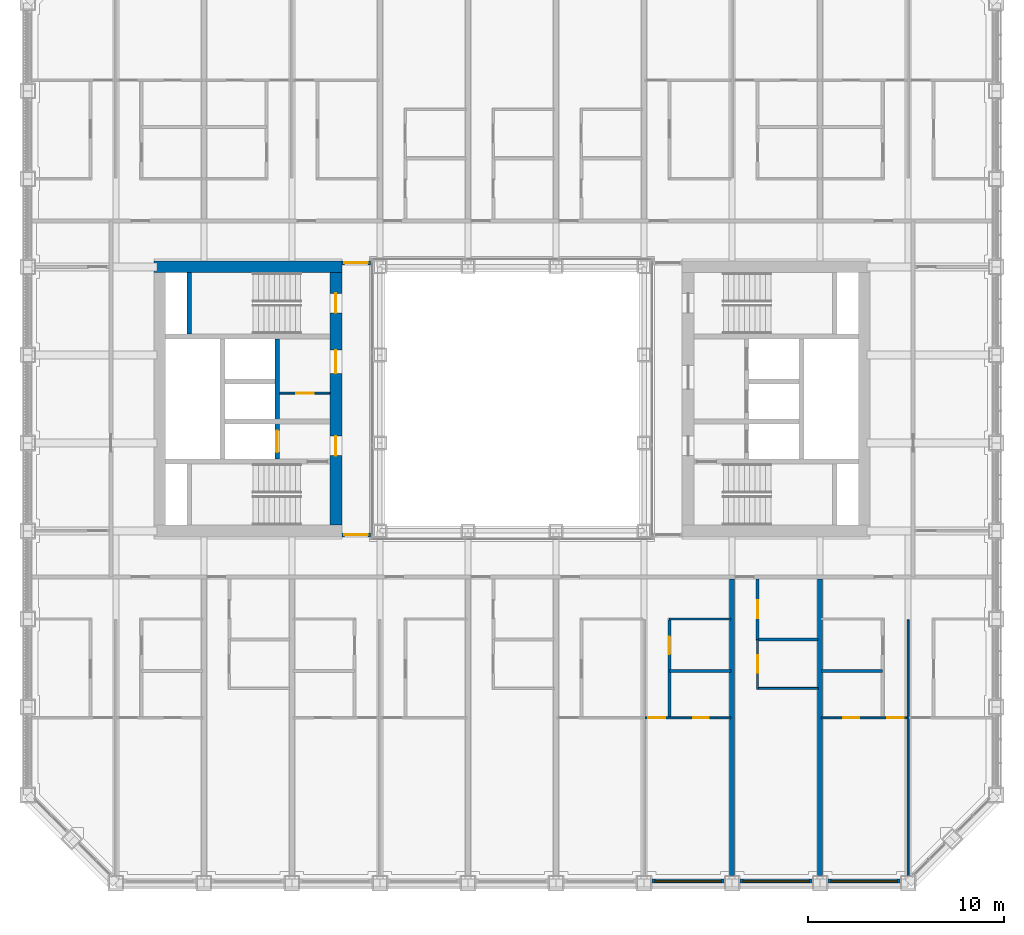
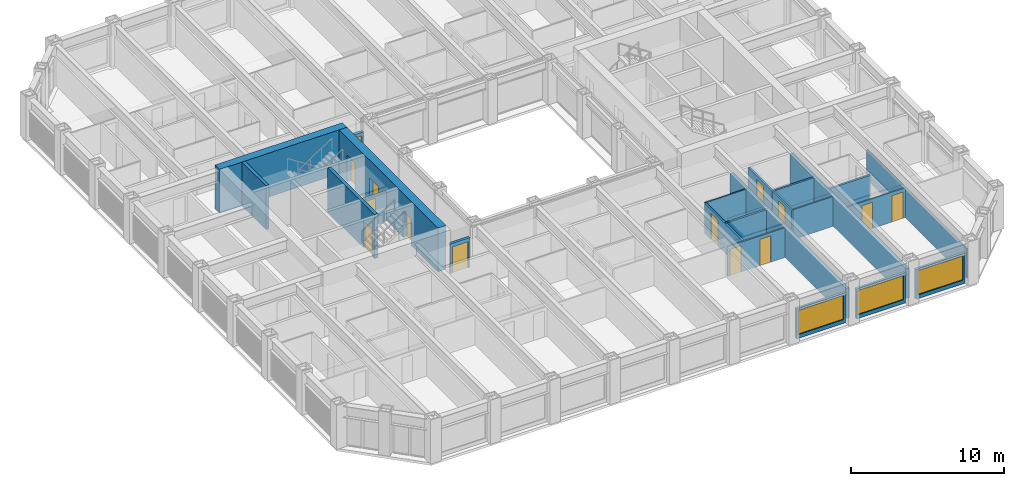
# One storey, part 11 of 21: 23 walls, 14 doors, 3 windows, 17 openings.
"""IFC4 building model written with IfcOpenShell, lengths in metres."""

import ifcopenshell
import ifcopenshell.guid

model = None  # the IFC model being written
_history = None  # IfcOwnerHistory: only IFC2X3 demands one
_inside = {}  # id of a spatial element -> (the spatial element, [elements in it])
_under = {}  # id of a project, library or spatial element -> (it, [spatial elements below it])
_declared = {}  # id of a project -> (the project, [libraries it declares])
_typed = {}  # id of a type object -> (the type object, [elements of that type])
_made_of = {}  # id of a material, layer set ... -> (it, [elements and type objects made of it])


def new_model(schema):
    """Start an empty IFC model of exactly this schema.

    Asked for "IFC4X3", IfcOpenShell would pick the latest addendum, in which some entities
    have other attributes; the version numbers below select the first issue.
    IFC2X3 requires an IfcOwnerHistory on every rooted entity: one is made here for all.
    """
    global model, _history
    if schema == "IFC4X3":
        model = ifcopenshell.file(schema_version=(4, 3, 0, 0))
    else:
        model = ifcopenshell.file(schema=schema)
    _inside.clear()
    _under.clear()
    _declared.clear()
    _typed.clear()
    _made_of.clear()
    _history = None
    if model.schema == "IFC2X3":
        org = make("IfcOrganization", Name="unknown")
        user = make(
            "IfcPersonAndOrganization",
            ThePerson=make("IfcPerson", FamilyName="unknown"),
            TheOrganization=org,
        )
        app = make(
            "IfcApplication",
            ApplicationDeveloper=org,
            Version="unknown",
            ApplicationFullName="unknown",
            ApplicationIdentifier="unknown",
        )
        _history = make(
            "IfcOwnerHistory",
            OwningUser=user,
            OwningApplication=app,
            ChangeAction="ADDED",
            CreationDate=0,
        )
    return model


def make(cls, **values):
    """One entity of the class cls with the attributes given. An attribute that is None is left unset."""
    return model.create_entity(
        cls, **{name: value for name, value in values.items() if value is not None}
    )


def rooted(cls, **values):
    """An entity with a GlobalId (a new one), such as an element, a storey or a relation."""
    return make(cls, GlobalId=ifcopenshell.guid.new(), OwnerHistory=_history, **values)


def si_unit(unit_type, name, prefix=None):
    """IfcSIUnit, for example si_unit("LENGTHUNIT", "METRE", prefix="MILLI")."""
    return make("IfcSIUnit", UnitType=unit_type, Prefix=prefix, Name=name)


def assignment(units):
    """IfcUnitAssignment: the units of a project."""
    return None if units is None else make("IfcUnitAssignment", Units=units)


def point(xyz):
    """IfcCartesianPoint."""
    return None if xyz is None else make("IfcCartesianPoint", Coordinates=xyz)


def direction(xyz):
    """IfcDirection."""
    return None if xyz is None else make("IfcDirection", DirectionRatios=xyz)


def frame(location, z_axis=None, x_axis=None):
    """IfcAxis2Placement3D, a coordinate frame: its origin and axes. An axis left out is left unset."""
    return make(
        "IfcAxis2Placement3D",
        Location=point(location),
        Axis=direction(z_axis),
        RefDirection=direction(x_axis),
    )


def frame_2d(location, x_axis=None):
    """IfcAxis2Placement2D, a coordinate frame in the plane: its origin and x axis."""
    return make(
        "IfcAxis2Placement2D", Location=point(location), RefDirection=direction(x_axis)
    )


def origin():
    """The frame at (0, 0, 0) with its axes left unset."""
    return frame((0.0, 0.0, 0.0))


def place(relative_to, where):
    """IfcLocalPlacement: puts the frame where relative to a parent placement (None: the world)."""
    return make(
        "IfcLocalPlacement", PlacementRelTo=relative_to, RelativePlacement=where
    )


def context(
    kind, dimensions, precision=None, world=None, true_north=None, identifier=None
):
    """IfcGeometricRepresentationContext, for example the 3D "Model" context."""
    return make(
        "IfcGeometricRepresentationContext",
        ContextIdentifier=identifier,
        ContextType=kind,
        CoordinateSpaceDimension=dimensions,
        Precision=precision,
        WorldCoordinateSystem=world,
        TrueNorth=true_north,
    )


def subcontext(parent, identifier, kind, view, scale=None):
    """IfcGeometricRepresentationSubContext, for example "Body" below "Model"."""
    return make(
        "IfcGeometricRepresentationSubContext",
        ContextIdentifier=identifier,
        ContextType=kind,
        ParentContext=parent,
        TargetScale=scale,
        TargetView=view,
    )


def project(units=None, contexts=None):
    """IfcProject with its units and contexts."""
    return rooted(
        "IfcProject",
        Name="project",
        RepresentationContexts=contexts,
        UnitsInContext=assignment(units),
    )


def spatial(cls, under=None, at=None, **own):
    """A site, building, storey or space (cls), placed at a placement, below another one or the project."""
    s = rooted(cls, ObjectPlacement=at, **own)
    if under is not None:
        _under.setdefault(under.id(), (under, []))[1].append(s)
    return s


def profile(cls, at=None, kind="AREA", **sizes):
    """A parametric profile (cls). Its sizes go by their IFC names, for example OverallWidth=200.0."""
    return make(cls, ProfileType=kind, Position=at, **sizes)


def rectangle(**sizes):
    """IfcRectangleProfileDef."""
    return profile("IfcRectangleProfileDef", **sizes)


def extrude(swept, where, along, depth):
    """IfcExtrudedAreaSolid: the profile swept, set in the frame where, extruded along a direction by depth."""
    return make(
        "IfcExtrudedAreaSolid",
        SweptArea=swept,
        Position=where,
        ExtrudedDirection=direction(along),
        Depth=depth,
    )


def shape(context_of_items, identifier, shape_type, items):
    """IfcShapeRepresentation: the items that make up one representation, for example the "Body"."""
    return make(
        "IfcShapeRepresentation",
        ContextOfItems=context_of_items,
        RepresentationIdentifier=identifier,
        RepresentationType=shape_type,
        Items=items,
    )


def material(Name=None, Category=None):
    """IfcMaterial."""
    return make("IfcMaterial", Name=Name, Category=Category)


def layer(
    of_material, thickness, ventilated=None, Name=None, Category=None, Priority=None
):
    """IfcMaterialLayer: one layer of a wall or slab, of a material (None: an air gap)."""
    return make(
        "IfcMaterialLayer",
        Material=of_material,
        LayerThickness=thickness,
        IsVentilated=ventilated,
        Name=Name,
        Category=Category,
        Priority=Priority,
    )


def layer_set(layers, Name=None):
    """IfcMaterialLayerSet."""
    return make("IfcMaterialLayerSet", MaterialLayers=layers, LayerSetName=Name)


def made_of(thing, what):
    """Note that an element or type object is made of a material, layer set ...; save() writes the relation."""
    if what is not None:
        _made_of.setdefault(what.id(), (what, []))[1].append(thing)
    return thing


def type_object(cls, material=None, **own):
    """A type object (cls), such as IfcWallType, which elements share."""
    return made_of(rooted(cls, **own), material)


def element(
    cls,
    number,
    at=None,
    inside=None,
    cuts=None,
    type_object=None,
    material=None,
    context=None,
    identifier="Body",
    shape_type=None,
    held_by="IfcProductDefinitionShape",
    body=None,
    shapes=None,
    **own,
):
    """One element of the class cls, such as IfcWall. Its Tag is "e" and its number.

    at: its placement. inside: the storey or other place that contains it. cuts: it is an
    opening in that element (IfcRelVoidsElement). A single representation is given by context,
    identifier, shape_type and body (its items); several are given by shapes. held_by: the class
    of the entity that holds the representations. save() writes the other relations.
    """
    e = rooted(cls, Tag="e%d" % number, ObjectPlacement=at, **own)
    if body is not None:
        shapes = [shape(context, identifier, shape_type, body)]
    if shapes is not None:
        e.Representation = make(held_by, Representations=shapes)
    if inside is not None:
        _inside.setdefault(inside.id(), (inside, []))[1].append(e)
    if cuts is not None:
        rooted(
            "IfcRelVoidsElement", RelatingBuildingElement=cuts, RelatedOpeningElement=e
        )
    if type_object is not None:
        _typed.setdefault(type_object.id(), (type_object, []))[1].append(e)
    return made_of(e, material)


def fill(opening, filler):
    """IfcRelFillsElement: the door or window that sits in an opening."""
    return rooted(
        "IfcRelFillsElement",
        RelatingOpeningElement=opening,
        RelatedBuildingElement=filler,
    )


def aggregate(whole, parts):
    """IfcRelAggregates: a whole, such as a stair, and the parts it consists of."""
    return rooted("IfcRelAggregates", RelatingObject=whole, RelatedObjects=parts)


def save(model, path):
    """Write the relations noted so far, then the file.

    IfcRelAggregates (storeys below a building ...), IfcRelContainedInSpatialStructure (elements
    in a storey), IfcRelDefinesByType, IfcRelAssociatesMaterial and IfcRelDeclares: one each for
    every whole, place, type object, material and project.
    """
    for whole, parts in _under.values():
        aggregate(whole, parts)
    for where, things in _inside.values():
        rooted(
            "IfcRelContainedInSpatialStructure",
            RelatedElements=things,
            RelatingStructure=where,
        )
    for kind, things in _typed.values():
        rooted("IfcRelDefinesByType", RelatedObjects=things, RelatingType=kind)
    for what, things in _made_of.values():
        rooted("IfcRelAssociatesMaterial", RelatedObjects=things, RelatingMaterial=what)
    for by, libraries in _declared.values():
        rooted("IfcRelDeclares", RelatingContext=by, RelatedDefinitions=libraries)
    model.write(path)


model = new_model("IFC4")

# Units and contexts
model_context = context("Model", 3, precision=1e-05, world=origin(), true_north=direction((0.0, 1.0)))
body_context = subcontext(model_context, "Body", "Model", "MODEL_VIEW")
ifc_project = project(units=[si_unit("LENGTHUNIT", "METRE"), si_unit("AREAUNIT", "SQUARE_METRE"), si_unit("VOLUMEUNIT", "CUBIC_METRE"), si_unit("PLANEANGLEUNIT", "RADIAN"), si_unit("MASSUNIT", "GRAM", prefix="KILO")], contexts=[model_context])

# Site, building, storey
site_placement = place(None, origin())
site = spatial("IfcSite", under=ifc_project, at=site_placement, CompositionType="ELEMENT")
building_placement = place(site_placement, origin())
building = spatial("IfcBuilding", under=site, at=building_placement, Name="Msasa Ring Tower", CompositionType="ELEMENT")
storey_placement = place(building_placement, frame((0.0, 0.0, 44.0)))
storey = spatial("IfcBuildingStorey", under=building, at=storey_placement, Name="L10", CompositionType="ELEMENT", Elevation=44.0)

# Wall
ifc_material_1 = material(Name="Concrete C60/75", Category="concrete")
ifc_layer_1 = layer(ifc_material_1, 0.60009765625)
ifc_layer_set_1 = layer_set([ifc_layer_1], Name="CW1 CORE WALL 600")
wall_type_1 = type_object("IfcWallType", Name="CW1 CORE WALL 600", PredefinedType="SHEAR", material=ifc_layer_set_1)
wall_1_placement = place(storey_placement, frame((-8.699951171875, 6.75, 0.0), z_axis=(0.0, 0.0, 1.0), x_axis=(-1.0, 0.0, 0.0)))
element("IfcWall", 1, at=wall_1_placement, inside=storey, type_object=wall_type_1, Name="W core wall N L10", PredefinedType="SHEAR", context=body_context, shape_type="SweptSolid", body=[
    extrude(rectangle(XDim=9.60009765625, YDim=0.60009765625, at=frame_2d((4.800048828125, 0.0))), origin(), (0.0, 0.0, 1.0), 3.5),
])

# Wall, openings, doors
wall_2_placement = place(storey_placement, frame((-9.0, -6.449951171875, 0.0), z_axis=(0.0, 0.0, 1.0), x_axis=(0.0, 1.0, 0.0)))
wall_2 = element("IfcWall", 2, at=wall_2_placement, inside=storey, type_object=wall_type_1, Name="W core wall W L10", PredefinedType="SHEAR", context=body_context, shape_type="SweptSolid", body=[
    extrude(rectangle(XDim=12.89990234375, YDim=0.60009765625, at=frame_2d((6.449951171875, 0.0))), origin(), (0.0, 0.0, 1.0), 3.5),
])
opening_1_placement = place(wall_2_placement, frame((3.550048828125, 0.0, 0.0)))
opening_1 = element("IfcOpeningElement", 3, at=opening_1_placement, cuts=wall_2, Name="Opening RB-045", PredefinedType="OPENING", context=body_context, shape_type="SweptSolid", body=[
    extrude(rectangle(XDim=1.0, YDim=2.10009765625, at=frame_2d((0.5, 1.050048828125))), frame((0.0, 0.31005859375, 0.0), z_axis=(0.0, -1.0, 0.0), x_axis=(1.0, 0.0, 0.0)), (0.0, 0.0, 1.0), 0.6201171875),
])
opening_2_placement = place(wall_2_placement, frame((7.75, 0.0, 0.0)))
opening_2 = element("IfcOpeningElement", 4, at=opening_2_placement, cuts=wall_2, Name="Opening RB-040", PredefinedType="OPENING", context=body_context, shape_type="SweptSolid", body=[
    extrude(rectangle(XDim=1.199951171875, YDim=2.10009765625, at=frame_2d((0.60009765625, 1.050048828125))), frame((0.0, 0.31005859375, 0.0), z_axis=(0.0, -1.0, 0.0), x_axis=(1.0, 0.0, 0.0)), (0.0, 0.0, 1.0), 0.6201171875),
])
opening_3_placement = place(wall_2_placement, frame((10.85009765625, 0.0, 0.0)))
opening_3 = element("IfcOpeningElement", 5, at=opening_3_placement, cuts=wall_2, Name="Opening RB-038", PredefinedType="OPENING", context=body_context, shape_type="SweptSolid", body=[
    extrude(rectangle(XDim=1.0, YDim=2.10009765625, at=frame_2d((0.5, 1.050048828125))), frame((0.0, 0.31005859375, 0.0), z_axis=(0.0, -1.0, 0.0), x_axis=(1.0, 0.0, 0.0)), (0.0, 0.0, 1.0), 0.6201171875),
])
ifc_material_2 = material(Name="Timber door leaf in a steel frame", Category="steel")
door_type_1 = type_object("IfcDoorType", Name="D26 WIDE SERVICE ROOM DOOR 1200x2100", OperationType="SINGLE_SWING_LEFT", PredefinedType="DOOR", material=ifc_material_2)
door_1_placement = place(opening_2_placement, origin())
door_1 = element("IfcDoor", 6, at=door_1_placement, inside=storey, type_object=door_type_1, Name="Door L10-WCR", OperationType="SINGLE_SWING_RIGHT", OverallHeight=2.10009765625, OverallWidth=1.199951171875, PredefinedType="DOOR", context=body_context, shape_type="SweptSolid", body=[
    extrude(rectangle(XDim=1.199951171875, YDim=2.10009765625, at=frame_2d((0.60009765625, 1.050048828125))), frame((0.0, 0.02490234375, 0.0), z_axis=(0.0, -1.0, 0.0), x_axis=(1.0, 0.0, 0.0)), (0.0, 0.0, 1.0), 0.050048828125),
])
fill(opening_2, door_1)
ifc_material_3 = material(Name="Timber door leaf in a steel frame", Category="steel")
door_type_2 = type_object("IfcDoorType", Name="D4 LOBBY DOOR 1000x2100", OperationType="SINGLE_SWING_LEFT", PredefinedType="DOOR", material=ifc_material_3)
door_2_placement = place(opening_1_placement, origin())
door_2 = element("IfcDoor", 7, at=door_2_placement, inside=storey, type_object=door_type_2, Name="Door L10-WFFL", OperationType="SINGLE_SWING_LEFT", OverallHeight=2.10009765625, OverallWidth=1.0, PredefinedType="DOOR", context=body_context, shape_type="SweptSolid", body=[
    extrude(rectangle(XDim=1.0, YDim=2.10009765625, at=frame_2d((0.5, 1.050048828125))), frame((0.0, 0.02490234375, 0.0), z_axis=(0.0, -1.0, 0.0), x_axis=(1.0, 0.0, 0.0)), (0.0, 0.0, 1.0), 0.050048828125),
])
fill(opening_1, door_2)
ifc_material_4 = material(Name="Timber door leaf in a steel frame", Category="steel")
door_type_3 = type_object("IfcDoorType", Name="D6 STAIR DOOR 1000x2100", OperationType="SINGLE_SWING_LEFT", PredefinedType="DOOR", material=ifc_material_4)
door_3_placement = place(opening_3_placement, origin())
door_3 = element("IfcDoor", 8, at=door_3_placement, inside=storey, type_object=door_type_3, Name="Door L10-WSTB", OperationType="SINGLE_SWING_RIGHT", OverallHeight=2.10009765625, OverallWidth=1.0, PredefinedType="DOOR", context=body_context, shape_type="SweptSolid", body=[
    extrude(rectangle(XDim=1.0, YDim=2.10009765625, at=frame_2d((0.5, 1.050048828125))), frame((0.0, 0.02490234375, 0.0), z_axis=(0.0, -1.0, 0.0), x_axis=(1.0, 0.0, 0.0)), (0.0, 0.0, 1.0), 0.050048828125),
])
fill(opening_3, door_3)

# Wall
ifc_material_5 = material(Name="Concrete C60/75", Category="concrete")
ifc_layer_2 = layer(ifc_material_5, 0.25)
ifc_layer_set_2 = layer_set([ifc_layer_2], Name="CW4 CORE INNER WALL 250")
wall_type_2 = type_object("IfcWallType", Name="CW4 CORE INNER WALL 250", PredefinedType="SHEAR", material=ifc_layer_set_2)
wall_3_placement = place(storey_placement, frame((-16.5, 3.324951171875, 0.0), z_axis=(0.0, 0.0, 1.0), x_axis=(0.0, 1.0, 0.0)))
element("IfcWall", 9, at=wall_3_placement, inside=storey, type_object=wall_type_2, Name="W core wall RISERB L10", PredefinedType="SHEAR", context=body_context, shape_type="SweptSolid", body=[
    extrude(rectangle(XDim=3.125, YDim=0.25, at=frame_2d((1.5625, 0.0))), origin(), (0.0, 0.0, 1.0), 3.5),
])

# Wall, opening, door
wall_4_placement = place(storey_placement, frame((-12.0, -3.074951171875, 0.0), z_axis=(0.0, 0.0, 1.0), x_axis=(0.0, 1.0, 0.0)))
wall_4 = element("IfcWall", 10, at=wall_4_placement, inside=storey, type_object=wall_type_2, Name="W core wall LOBBY L10", PredefinedType="SHEAR", context=body_context, shape_type="SweptSolid", body=[
    extrude(rectangle(XDim=6.14990234375, YDim=0.25, at=frame_2d((3.074951171875, 0.0))), origin(), (0.0, 0.0, 1.0), 3.5),
])
opening_4_placement = place(wall_4_placement, frame((0.35009765625, 0.0, 0.0)))
opening_4 = element("IfcOpeningElement", 11, at=opening_4_placement, cuts=wall_4, Name="Opening LD1", PredefinedType="OPENING", context=body_context, shape_type="SweptSolid", body=[
    extrude(rectangle(XDim=1.10009765625, YDim=2.10009765625, at=frame_2d((0.550048828125, 1.050048828125))), frame((0.0, 0.135009765625, 0.0), z_axis=(0.0, -1.0, 0.0), x_axis=(1.0, 0.0, 0.0)), (0.0, 0.0, 1.0), 0.27001953125),
])
ifc_material_6 = material(Name="Stainless steel lift landing door", Category="steel")
door_type_4 = type_object("IfcDoorType", Name="LD1 LIFT LANDING DOOR 1100x2100", OperationType="DOUBLE_DOOR_SLIDING", PredefinedType="DOOR", material=ifc_material_6)
door_4_placement = place(opening_4_placement, origin())
door_4 = element("IfcDoor", 12, at=door_4_placement, inside=storey, type_object=door_type_4, Name="Lift landing door FL-W L10", OperationType="DOUBLE_DOOR_SLIDING", OverallHeight=2.10009765625, OverallWidth=1.10009765625, PredefinedType="DOOR", context=body_context, shape_type="SweptSolid", body=[
    extrude(rectangle(XDim=1.10009765625, YDim=2.10009765625, at=frame_2d((0.550048828125, 1.050048828125))), frame((0.0, 0.02490234375, 0.0), z_axis=(0.0, -1.0, 0.0), x_axis=(1.0, 0.0, 0.0)), (0.0, 0.0, 1.0), 0.050048828125),
])
fill(opening_4, door_4)

# Wall, opening, window
ifc_material_7 = material(Name="Terracotta rainscreen on blockwork", Category="masonry")
ifc_layer_3 = layer(ifc_material_7, 0.199951171875)
ifc_layer_set_3 = layer_set([ifc_layer_3], Name="FW1 TERRACOTTA-LINED INFILL BAY WALL 200")
wall_type_3 = type_object("IfcWallType", Name="FW1 TERRACOTTA-LINED INFILL BAY WALL 200", PredefinedType="SOLIDWALL", material=ifc_layer_set_3)
wall_5_placement = place(storey_placement, frame((7.155029296875, -24.64990234375, 0.0), z_axis=(0.0, 0.0, 1.0), x_axis=(1.0, 0.0, 0.0)))
wall_5 = element("IfcWall", 13, at=wall_5_placement, inside=storey, type_object=wall_type_3, Name="Infill bay wall S L10 06", PredefinedType="SOLIDWALL", context=body_context, shape_type="SweptSolid", body=[
    extrude(rectangle(XDim=3.68994140625, YDim=0.199951171875, at=frame_2d((1.844970703125, 0.0))), origin(), (0.0, 0.0, 1.0), 2.37890625),
])
opening_5_placement = place(wall_5_placement, frame((0.14501953125, 0.0, 0.300048828125)))
opening_5 = element("IfcOpeningElement", 14, at=opening_5_placement, cuts=wall_5, Name="Opening WN1", PredefinedType="OPENING", context=body_context, shape_type="SweptSolid", body=[
    extrude(rectangle(XDim=3.39990234375, YDim=1.928955078125, at=frame_2d((1.699951171875, 0.96435546875))), frame((0.0, 0.10986328125, 0.0), z_axis=(0.0, -1.0, 0.0), x_axis=(1.0, 0.0, 0.0)), (0.0, 0.0, 1.0), 0.219970703125),
])
ifc_material_8 = material(Name="Aluminium frame with clear glass", Category="aluminium")
window_type = type_object("IfcWindowType", Name="WN1 RESIDENCE WINDOW 3400x1929", PartitioningType="SINGLE_PANEL", PredefinedType="WINDOW", material=ifc_material_8)
window_1_placement = place(opening_5_placement, origin())
window_1 = element("IfcWindow", 15, at=window_1_placement, inside=storey, type_object=window_type, Name="Window S L10 06", OverallHeight=1.928955078125, OverallWidth=3.39990234375, PartitioningType="SINGLE_PANEL", PredefinedType="WINDOW", context=body_context, shape_type="SweptSolid", body=[
    extrude(rectangle(XDim=3.39990234375, YDim=1.928955078125, at=frame_2d((1.699951171875, 0.96435546875))), frame((0.0, 0.030029296875, 0.0), z_axis=(0.0, -1.0, 0.0), x_axis=(1.0, 0.0, 0.0)), (0.0, 0.0, 1.0), 0.06005859375),
])
fill(opening_5, window_1)

wall_6_placement = place(storey_placement, frame((11.655029296875, -24.64990234375, 0.0), z_axis=(0.0, 0.0, 1.0), x_axis=(1.0, 0.0, 0.0)))
wall_6 = element("IfcWall", 16, at=wall_6_placement, inside=storey, type_object=wall_type_3, Name="Infill bay wall S L10 07", PredefinedType="SOLIDWALL", context=body_context, shape_type="SweptSolid", body=[
    extrude(rectangle(XDim=3.68994140625, YDim=0.199951171875, at=frame_2d((1.844970703125, 0.0))), origin(), (0.0, 0.0, 1.0), 2.37890625),
])
opening_6_placement = place(wall_6_placement, frame((0.14501953125, 0.0, 0.300048828125)))
opening_6 = element("IfcOpeningElement", 17, at=opening_6_placement, cuts=wall_6, Name="Opening WN1", PredefinedType="OPENING", context=body_context, shape_type="SweptSolid", body=[
    extrude(rectangle(XDim=3.39990234375, YDim=1.928955078125, at=frame_2d((1.699951171875, 0.96435546875))), frame((0.0, 0.10986328125, 0.0), z_axis=(0.0, -1.0, 0.0), x_axis=(1.0, 0.0, 0.0)), (0.0, 0.0, 1.0), 0.219970703125),
])
window_2_placement = place(opening_6_placement, origin())
window_2 = element("IfcWindow", 18, at=window_2_placement, inside=storey, type_object=window_type, Name="Window S L10 07", OverallHeight=1.928955078125, OverallWidth=3.39990234375, PartitioningType="SINGLE_PANEL", PredefinedType="WINDOW", context=body_context, shape_type="SweptSolid", body=[
    extrude(rectangle(XDim=3.39990234375, YDim=1.928955078125, at=frame_2d((1.699951171875, 0.96435546875))), frame((0.0, 0.030029296875, 0.0), z_axis=(0.0, -1.0, 0.0), x_axis=(1.0, 0.0, 0.0)), (0.0, 0.0, 1.0), 0.06005859375),
])
fill(opening_6, window_2)

wall_7_placement = place(storey_placement, frame((16.155029296875, -24.64990234375, 0.0), z_axis=(0.0, 0.0, 1.0), x_axis=(1.0, 0.0, 0.0)))
wall_7 = element("IfcWall", 19, at=wall_7_placement, inside=storey, type_object=wall_type_3, Name="Infill bay wall S L10 08", PredefinedType="SOLIDWALL", context=body_context, shape_type="SweptSolid", body=[
    extrude(rectangle(XDim=3.68994140625, YDim=0.199951171875, at=frame_2d((1.844970703125, 0.0))), origin(), (0.0, 0.0, 1.0), 2.37890625),
])
opening_7_placement = place(wall_7_placement, frame((0.14501953125, 0.0, 0.300048828125)))
opening_7 = element("IfcOpeningElement", 20, at=opening_7_placement, cuts=wall_7, Name="Opening WN1", PredefinedType="OPENING", context=body_context, shape_type="SweptSolid", body=[
    extrude(rectangle(XDim=3.39990234375, YDim=1.928955078125, at=frame_2d((1.699951171875, 0.96435546875))), frame((0.0, 0.10986328125, 0.0), z_axis=(0.0, -1.0, 0.0), x_axis=(1.0, 0.0, 0.0)), (0.0, 0.0, 1.0), 0.219970703125),
])
window_3_placement = place(opening_7_placement, origin())
window_3 = element("IfcWindow", 21, at=window_3_placement, inside=storey, type_object=window_type, Name="Window S L10 08", OverallHeight=1.928955078125, OverallWidth=3.39990234375, PartitioningType="SINGLE_PANEL", PredefinedType="WINDOW", context=body_context, shape_type="SweptSolid", body=[
    extrude(rectangle(XDim=3.39990234375, YDim=1.928955078125, at=frame_2d((1.699951171875, 0.96435546875))), frame((0.0, 0.030029296875, 0.0), z_axis=(0.0, -1.0, 0.0), x_axis=(1.0, 0.0, 0.0)), (0.0, 0.0, 1.0), 0.06005859375),
])
fill(opening_7, window_3)

# Wall, opening, door
ifc_material_9 = material(Name="Concrete blockwork", Category="masonry")
ifc_layer_4 = layer(ifc_material_9, 0.199951171875)
ifc_layer_set_4 = layer_set([ifc_layer_4], Name="PT1 CORRIDOR WALL 200")
wall_type_4 = type_object("IfcWallType", Name="PT1 CORRIDOR WALL 200", PredefinedType="PARTITIONING", material=ifc_layer_set_4)
wall_8_placement = place(storey_placement, frame((-8.699951171875, 6.949951171875, 0.0), z_axis=(0.0, 0.0, 1.0), x_axis=(1.0, 0.0, 0.0)))
wall_8 = element("IfcWall", 22, at=wall_8_placement, inside=storey, type_object=wall_type_4, Name="Corridor wall L10-SDWN", PredefinedType="PARTITIONING", context=body_context, shape_type="SweptSolid", body=[
    extrude(rectangle(XDim=1.469970703125, YDim=0.199951171875, at=frame_2d((0.73486328125, 0.0))), origin(), (0.0, 0.0, 1.0), 2.373291015625),
])
opening_8_placement = place(wall_8_placement, frame((0.135009765625, 0.0, 0.0)))
opening_8 = element("IfcOpeningElement", 23, at=opening_8_placement, cuts=wall_8, Name="Opening RB-034", PredefinedType="OPENING", context=body_context, shape_type="SweptSolid", body=[
    extrude(rectangle(XDim=1.199951171875, YDim=2.10009765625, at=frame_2d((0.60009765625, 1.050048828125))), frame((0.0, 0.10986328125, 0.0), z_axis=(0.0, -1.0, 0.0), x_axis=(1.0, 0.0, 0.0)), (0.0, 0.0, 1.0), 0.219970703125),
])
ifc_material_10 = material(Name="Timber door leaf in a steel frame", Category="steel")
door_type_5 = type_object("IfcDoorType", Name="D25 CORRIDOR PAIR OF SMOKE DOORS 1200x2100", OperationType="DOUBLE_DOOR_DOUBLE_SWING", PredefinedType="DOOR", material=ifc_material_10)
door_5_placement = place(opening_8_placement, origin())
door_5 = element("IfcDoor", 24, at=door_5_placement, inside=storey, type_object=door_type_5, Name="Door L10-SDWN", OperationType="DOUBLE_DOOR_DOUBLE_SWING", OverallHeight=2.10009765625, OverallWidth=1.199951171875, PredefinedType="DOOR", context=body_context, shape_type="SweptSolid", body=[
    extrude(rectangle(XDim=1.199951171875, YDim=2.10009765625, at=frame_2d((0.60009765625, 1.050048828125))), frame((0.0, 0.02490234375, 0.0), z_axis=(0.0, -1.0, 0.0), x_axis=(1.0, 0.0, 0.0)), (0.0, 0.0, 1.0), 0.050048828125),
])
fill(opening_8, door_5)

wall_9_placement = place(storey_placement, frame((-8.699951171875, -6.949951171875, 0.0), z_axis=(0.0, 0.0, 1.0), x_axis=(1.0, 0.0, 0.0)))
wall_9 = element("IfcWall", 25, at=wall_9_placement, inside=storey, type_object=wall_type_4, Name="Corridor wall L10-SDWS", PredefinedType="PARTITIONING", context=body_context, shape_type="SweptSolid", body=[
    extrude(rectangle(XDim=1.469970703125, YDim=0.199951171875, at=frame_2d((0.73486328125, 0.0))), origin(), (0.0, 0.0, 1.0), 2.373291015625),
])
opening_9_placement = place(wall_9_placement, frame((0.135009765625, 0.0, 0.0)))
opening_9 = element("IfcOpeningElement", 26, at=opening_9_placement, cuts=wall_9, Name="Opening RB-051", PredefinedType="OPENING", context=body_context, shape_type="SweptSolid", body=[
    extrude(rectangle(XDim=1.199951171875, YDim=2.10009765625, at=frame_2d((0.60009765625, 1.050048828125))), frame((0.0, 0.10986328125, 0.0), z_axis=(0.0, -1.0, 0.0), x_axis=(1.0, 0.0, 0.0)), (0.0, 0.0, 1.0), 0.219970703125),
])
door_6_placement = place(opening_9_placement, origin())
door_6 = element("IfcDoor", 27, at=door_6_placement, inside=storey, type_object=door_type_5, Name="Door L10-SDWS", OperationType="DOUBLE_DOOR_DOUBLE_SWING", OverallHeight=2.10009765625, OverallWidth=1.199951171875, PredefinedType="DOOR", context=body_context, shape_type="SweptSolid", body=[
    extrude(rectangle(XDim=1.199951171875, YDim=2.10009765625, at=frame_2d((0.60009765625, 1.050048828125))), frame((0.0, 0.02490234375, 0.0), z_axis=(0.0, -1.0, 0.0), x_axis=(1.0, 0.0, 0.0)), (0.0, 0.0, 1.0), 0.050048828125),
])
fill(opening_9, door_6)

# Wall
ifc_material_11 = material(Name="Gypsum board on steel studs", Category="steel")
ifc_layer_5 = layer(ifc_material_11, 0.10009765625)
ifc_layer_set_5 = layer_set([ifc_layer_5], Name="PT2 STUD PARTITION 100")
wall_type_5 = type_object("IfcWallType", Name="PT2 STUD PARTITION 100", PredefinedType="PARTITIONING", material=ifc_layer_set_5)
wall_10_placement = place(storey_placement, frame((8.050048828125, -11.25, 0.0), z_axis=(0.0, 0.0, 1.0), x_axis=(1.0, 0.0, 0.0)))
element("IfcWall", 28, at=wall_10_placement, inside=storey, type_object=wall_type_5, Name="Partition L10-US04HY1", PredefinedType="PARTITIONING", context=body_context, shape_type="SweptSolid", body=[
    extrude(rectangle(XDim=3.139892578125, YDim=0.10009765625, at=frame_2d((1.56982421875, 0.0))), origin(), (0.0, 0.0, 1.0), 2.373291015625),
])

# Wall, openings, doors
wall_11_placement = place(storey_placement, frame((6.800048828125, -16.300048828125, 0.0), z_axis=(0.0, 0.0, 1.0), x_axis=(1.0, 0.0, 0.0)))
wall_11 = element("IfcWall", 29, at=wall_11_placement, inside=storey, type_object=wall_type_5, Name="Partition L10-US04SY1", PredefinedType="PARTITIONING", context=body_context, shape_type="SweptSolid", body=[
    extrude(rectangle(XDim=4.389892578125, YDim=0.10009765625, at=frame_2d((2.19482421875, 0.0))), origin(), (0.0, 0.0, 1.0), 2.373291015625),
])
opening_10_placement = place(wall_11_placement, frame((0.175048828125, 0.0, 0.0)))
opening_10 = element("IfcOpeningElement", 30, at=opening_10_placement, cuts=wall_11, Name="Opening RB-081", PredefinedType="OPENING", context=body_context, shape_type="SweptSolid", body=[
    extrude(rectangle(XDim=0.85009765625, YDim=2.10009765625, at=frame_2d((0.425048828125, 1.050048828125))), frame((0.0, 0.06005859375, 0.0), z_axis=(0.0, -1.0, 0.0), x_axis=(1.0, 0.0, 0.0)), (0.0, 0.0, 1.0), 0.1201171875),
])
opening_11_placement = place(wall_11_placement, frame((2.4599609375, 0.0, 0.0)))
opening_11 = element("IfcOpeningElement", 31, at=opening_11_placement, cuts=wall_11, Name="Opening RB-082", PredefinedType="OPENING", context=body_context, shape_type="SweptSolid", body=[
    extrude(rectangle(XDim=0.800048828125, YDim=2.10009765625, at=frame_2d((0.39990234375, 1.050048828125))), frame((0.0, 0.06005859375, 0.0), z_axis=(0.0, -1.0, 0.0), x_axis=(1.0, 0.0, 0.0)), (0.0, 0.0, 1.0), 0.1201171875),
])
ifc_material_12 = material(Name="Timber door leaf in a steel frame", Category="steel")
door_type_6 = type_object("IfcDoorType", Name="D14 BEDROOM DOOR 850x2100", OperationType="SINGLE_SWING_LEFT", PredefinedType="DOOR", material=ifc_material_12)
door_7_placement = place(opening_10_placement, origin())
door_7 = element("IfcDoor", 32, at=door_7_placement, inside=storey, type_object=door_type_6, Name="Door L10-US04R1", OperationType="SINGLE_SWING_LEFT", OverallHeight=2.10009765625, OverallWidth=0.85009765625, PredefinedType="DOOR", context=body_context, shape_type="SweptSolid", body=[
    extrude(rectangle(XDim=0.85009765625, YDim=2.10009765625, at=frame_2d((0.425048828125, 1.050048828125))), frame((0.0, 0.02490234375, 0.0), z_axis=(0.0, -1.0, 0.0), x_axis=(1.0, 0.0, 0.0)), (0.0, 0.0, 1.0), 0.050048828125),
])
fill(opening_10, door_7)
ifc_material_13 = material(Name="Timber door leaf in a steel frame", Category="steel")
door_type_7 = type_object("IfcDoorType", Name="D60 DRESSING ROOM DOOR 800x2100", OperationType="SINGLE_SWING_LEFT", PredefinedType="DOOR", material=ifc_material_13)
door_8_placement = place(opening_11_placement, origin())
door_8 = element("IfcDoor", 33, at=door_8_placement, inside=storey, type_object=door_type_7, Name="Door L10-US04W1", OperationType="SINGLE_SWING_RIGHT", OverallHeight=2.10009765625, OverallWidth=0.800048828125, PredefinedType="DOOR", context=body_context, shape_type="SweptSolid", body=[
    extrude(rectangle(XDim=0.800048828125, YDim=2.10009765625, at=frame_2d((0.39990234375, 1.050048828125))), frame((0.0, 0.02490234375, 0.0), z_axis=(0.0, -1.0, 0.0), x_axis=(1.0, 0.0, 0.0)), (0.0, 0.0, 1.0), 0.050048828125),
])
fill(opening_11, door_8)

# Wall
wall_12_placement = place(storey_placement, frame((12.60009765625, -14.800048828125, 0.0), z_axis=(0.0, 0.0, 1.0), x_axis=(1.0, 0.0, 0.0)))
element("IfcWall", 34, at=wall_12_placement, inside=storey, type_object=wall_type_5, Name="Partition L10-US05KY", PredefinedType="PARTITIONING", context=body_context, shape_type="SweptSolid", body=[
    extrude(rectangle(XDim=3.0498046875, YDim=0.10009765625, at=frame_2d((1.52490234375, 0.0))), origin(), (0.0, 0.0, 1.0), 2.373291015625),
])

# Wall, opening, door
wall_13_placement = place(storey_placement, frame((12.550048828125, -14.85009765625, 0.0), z_axis=(0.0, 0.0, 1.0), x_axis=(0.0, 1.0, 0.0)))
wall_13 = element("IfcWall", 35, at=wall_13_placement, inside=storey, type_object=wall_type_5, Name="Partition L10-US05KX", PredefinedType="PARTITIONING", context=body_context, shape_type="SweptSolid", body=[
    extrude(rectangle(XDim=2.550048828125, YDim=0.10009765625, at=frame_2d((1.27490234375, 0.0))), origin(), (0.0, 0.0, 1.0), 2.373291015625),
])
opening_12_placement = place(wall_13_placement, frame((0.840087890625, 0.0, 0.0)))
opening_12 = element("IfcOpeningElement", 36, at=opening_12_placement, cuts=wall_13, Name="Opening RB-069", PredefinedType="OPENING", context=body_context, shape_type="SweptSolid", body=[
    extrude(rectangle(XDim=0.89990234375, YDim=2.10009765625, at=frame_2d((0.449951171875, 1.050048828125))), frame((0.0, 0.06005859375, 0.0), z_axis=(0.0, -1.0, 0.0), x_axis=(1.0, 0.0, 0.0)), (0.0, 0.0, 1.0), 0.1201171875),
])
ifc_material_14 = material(Name="Timber door leaf in a steel frame", Category="steel")
door_type_8 = type_object("IfcDoorType", Name="D22 INTERNAL HALL DOOR 900x2100", OperationType="SINGLE_SWING_LEFT", PredefinedType="DOOR", material=ifc_material_14)
door_9_placement = place(opening_12_placement, origin())
door_9 = element("IfcDoor", 37, at=door_9_placement, inside=storey, type_object=door_type_8, Name="Door L10-US05K", OperationType="SINGLE_SWING_LEFT", OverallHeight=2.10009765625, OverallWidth=0.89990234375, PredefinedType="DOOR", context=body_context, shape_type="SweptSolid", body=[
    extrude(rectangle(XDim=0.89990234375, YDim=2.10009765625, at=frame_2d((0.449951171875, 1.050048828125))), frame((0.0, 0.02490234375, 0.0), z_axis=(0.0, -1.0, 0.0), x_axis=(1.0, 0.0, 0.0)), (0.0, 0.0, 1.0), 0.050048828125),
])
fill(opening_12, door_9)

# Wall
wall_14_placement = place(storey_placement, frame((20.25, -24.35009765625, 0.0), z_axis=(0.0, 0.0, 1.0), x_axis=(0.0, 1.0, 0.0)))
element("IfcWall", 38, at=wall_14_placement, inside=storey, type_object=wall_type_5, Name="Partition L10-US06P1", PredefinedType="PARTITIONING", context=body_context, shape_type="SweptSolid", body=[
    extrude(rectangle(XDim=13.050048828125, YDim=0.10009765625, at=frame_2d((6.52490234375, 0.0))), origin(), (0.0, 0.0, 1.0), 2.373291015625),
])

# Wall, openings, doors
wall_15_placement = place(storey_placement, frame((15.81005859375, -16.300048828125, 0.0), z_axis=(0.0, 0.0, 1.0), x_axis=(1.0, 0.0, 0.0)))
wall_15 = element("IfcWall", 39, at=wall_15_placement, inside=storey, type_object=wall_type_5, Name="Partition L10-US06SY1", PredefinedType="PARTITIONING", context=body_context, shape_type="SweptSolid", body=[
    extrude(rectangle(XDim=4.389892578125, YDim=0.10009765625, at=frame_2d((2.19482421875, 0.0))), origin(), (0.0, 0.0, 1.0), 2.373291015625),
])
opening_13_placement = place(wall_15_placement, frame((3.364990234375, 0.0, 0.0)))
opening_13 = element("IfcOpeningElement", 40, at=opening_13_placement, cuts=wall_15, Name="Opening RB-084", PredefinedType="OPENING", context=body_context, shape_type="SweptSolid", body=[
    extrude(rectangle(XDim=0.85009765625, YDim=2.10009765625, at=frame_2d((0.425048828125, 1.050048828125))), frame((0.0, 0.06005859375, 0.0), z_axis=(0.0, -1.0, 0.0), x_axis=(1.0, 0.0, 0.0)), (0.0, 0.0, 1.0), 0.1201171875),
])
opening_14_placement = place(wall_15_placement, frame((1.1298828125, 0.0, 0.0)))
opening_14 = element("IfcOpeningElement", 41, at=opening_14_placement, cuts=wall_15, Name="Opening RB-083", PredefinedType="OPENING", context=body_context, shape_type="SweptSolid", body=[
    extrude(rectangle(XDim=0.800048828125, YDim=2.10009765625, at=frame_2d((0.39990234375, 1.050048828125))), frame((0.0, 0.06005859375, 0.0), z_axis=(0.0, -1.0, 0.0), x_axis=(1.0, 0.0, 0.0)), (0.0, 0.0, 1.0), 0.1201171875),
])
door_10_placement = place(opening_13_placement, origin())
door_10 = element("IfcDoor", 42, at=door_10_placement, inside=storey, type_object=door_type_6, Name="Door L10-US06R1", OperationType="SINGLE_SWING_RIGHT", OverallHeight=2.10009765625, OverallWidth=0.85009765625, PredefinedType="DOOR", context=body_context, shape_type="SweptSolid", body=[
    extrude(rectangle(XDim=0.85009765625, YDim=2.10009765625, at=frame_2d((0.425048828125, 1.050048828125))), frame((0.0, 0.02490234375, 0.0), z_axis=(0.0, -1.0, 0.0), x_axis=(1.0, 0.0, 0.0)), (0.0, 0.0, 1.0), 0.050048828125),
])
fill(opening_13, door_10)
door_11_placement = place(opening_14_placement, origin())
door_11 = element("IfcDoor", 43, at=door_11_placement, inside=storey, type_object=door_type_7, Name="Door L10-US06W1", OperationType="SINGLE_SWING_LEFT", OverallHeight=2.10009765625, OverallWidth=0.800048828125, PredefinedType="DOOR", context=body_context, shape_type="SweptSolid", body=[
    extrude(rectangle(XDim=0.800048828125, YDim=2.10009765625, at=frame_2d((0.39990234375, 1.050048828125))), frame((0.0, 0.02490234375, 0.0), z_axis=(0.0, -1.0, 0.0), x_axis=(1.0, 0.0, 0.0)), (0.0, 0.0, 1.0), 0.050048828125),
])
fill(opening_14, door_11)

# Wall, opening, door
wall_16_placement = place(storey_placement, frame((-11.875, 0.300048828125, 0.0), z_axis=(0.0, 0.0, 1.0), x_axis=(1.0, 0.0, 0.0)))
wall_16 = element("IfcWall", 44, at=wall_16_placement, inside=storey, type_object=wall_type_5, Name="Partition L10-WCP", PredefinedType="PARTITIONING", context=body_context, shape_type="SweptSolid", body=[
    extrude(rectangle(XDim=2.574951171875, YDim=0.10009765625, at=frame_2d((1.28759765625, 0.0))), origin(), (0.0, 0.0, 1.0), 2.373291015625),
])
opening_15_placement = place(wall_16_placement, frame((0.83740234375, 0.0, 0.0)))
opening_15 = element("IfcOpeningElement", 45, at=opening_15_placement, cuts=wall_16, Name="Opening RB-042", PredefinedType="OPENING", context=body_context, shape_type="SweptSolid", body=[
    extrude(rectangle(XDim=0.89990234375, YDim=2.10009765625, at=frame_2d((0.449951171875, 1.050048828125))), frame((0.0, 0.06005859375, 0.0), z_axis=(0.0, -1.0, 0.0), x_axis=(1.0, 0.0, 0.0)), (0.0, 0.0, 1.0), 0.1201171875),
])
door_12_placement = place(opening_15_placement, origin())
door_12 = element("IfcDoor", 46, at=door_12_placement, inside=storey, type_object=door_type_8, Name="Door L10-WCP", OperationType="SINGLE_SWING_LEFT", OverallHeight=2.10009765625, OverallWidth=0.89990234375, PredefinedType="DOOR", context=body_context, shape_type="SweptSolid", body=[
    extrude(rectangle(XDim=0.89990234375, YDim=2.10009765625, at=frame_2d((0.449951171875, 1.050048828125))), frame((0.0, 0.02490234375, 0.0), z_axis=(0.0, -1.0, 0.0), x_axis=(1.0, 0.0, 0.0)), (0.0, 0.0, 1.0), 0.050048828125),
])
fill(opening_15, door_12)

# Walls
ifc_material_15 = material(Name="Dense concrete blockwork, plastered both faces", Category="masonry")
ifc_layer_6 = layer(ifc_material_15, 0.25)
ifc_layer_set_6 = layer_set([ifc_layer_6], Name="PT3 APARTMENT SEPARATING WALL 250")
wall_type_6 = type_object("IfcWallType", Name="PT3 APARTMENT SEPARATING WALL 250", PredefinedType="PARTITIONING", material=ifc_layer_set_6)
for number, where, z_axis, x_axis, name in (
    (47, (11.25, -24.35009765625, 0.0), (0.0, 0.0, 1.0), (0.0, 1.0, 0.0), "Party wall L10-PWS+11.25"),
    (48, (15.75, -24.35009765625, 0.0), (0.0, 0.0, 1.0), (0.0, 1.0, 0.0), "Party wall L10-PWS+15.75"),
):
    element("IfcWall", number, at=place(storey_placement, frame(where, z_axis=z_axis, x_axis=x_axis)), inside=storey, type_object=wall_type_6, Name=name, PredefinedType="PARTITIONING", context=body_context, shape_type="SweptSolid", body=[
        extrude(rectangle(XDim=15.150146484375, YDim=0.25, at=frame_2d((7.5751953125, 0.0))), origin(), (0.0, 0.0, 1.0), 2.373291015625),
    ])

# Wall, opening, door
ifc_material_16 = material(Name="Moisture-resistant board on steel studs with a concealed cistern and pipe void, tiled", Category="steel")
ifc_layer_7 = layer(ifc_material_16, 0.14990234375)
ifc_layer_set_7 = layer_set([ifc_layer_7], Name="PT4 BATHROOM WET WALL 150")
wall_type_7 = type_object("IfcWallType", Name="PT4 BATHROOM WET WALL 150", PredefinedType="PARTITIONING", material=ifc_layer_set_7)
wall_17_placement = place(storey_placement, frame((8.050048828125, -16.300048828125, 0.0), z_axis=(0.0, 0.0, 1.0), x_axis=(0.0, 1.0, 0.0)))
wall_17 = element("IfcWall", 49, at=wall_17_placement, inside=storey, type_object=wall_type_7, Name="Partition L10-US04SX1", PredefinedType="PARTITIONING", context=body_context, shape_type="SweptSolid", body=[
    extrude(rectangle(XDim=5.0, YDim=0.14990234375, at=frame_2d((2.5, 0.0))), origin(), (0.0, 0.0, 1.0), 2.373291015625),
])
opening_16_placement = place(wall_17_placement, frame((3.25, 0.0, 0.0)))
opening_16 = element("IfcOpeningElement", 50, at=opening_16_placement, cuts=wall_17, Name="Opening RB-065", PredefinedType="OPENING", context=body_context, shape_type="SweptSolid", body=[
    extrude(rectangle(XDim=0.89990234375, YDim=2.10009765625, at=frame_2d((0.449951171875, 1.050048828125))), frame((0.0, 0.0849609375, 0.0), z_axis=(0.0, -1.0, 0.0), x_axis=(1.0, 0.0, 0.0)), (0.0, 0.0, 1.0), 0.169921875),
])
ifc_material_17 = material(Name="Timber door leaf in a steel frame", Category="steel")
door_type_9 = type_object("IfcDoorType", Name="D3 BATHROOM DOOR 900x2100", OperationType="SINGLE_SWING_LEFT", PredefinedType="DOOR", material=ifc_material_17)
door_13_placement = place(opening_16_placement, origin())
door_13 = element("IfcDoor", 51, at=door_13_placement, inside=storey, type_object=door_type_9, Name="Door L10-US04B1", OperationType="SINGLE_SWING_RIGHT", OverallHeight=2.10009765625, OverallWidth=0.89990234375, PredefinedType="DOOR", context=body_context, shape_type="SweptSolid", body=[
    extrude(rectangle(XDim=0.89990234375, YDim=2.10009765625, at=frame_2d((0.449951171875, 1.050048828125))), frame((0.0, 0.02490234375, 0.0), z_axis=(0.0, -1.0, 0.0), x_axis=(1.0, 0.0, 0.0)), (0.0, 0.0, 1.0), 0.050048828125),
])
fill(opening_16, door_13)

# Wall
wall_18_placement = place(storey_placement, frame((8.050048828125, -13.89990234375, 0.0), z_axis=(0.0, 0.0, 1.0), x_axis=(1.0, 0.0, 0.0)))
element("IfcWall", 52, at=wall_18_placement, inside=storey, type_object=wall_type_7, Name="Partition L10-US04SB1", PredefinedType="PARTITIONING", context=body_context, shape_type="SweptSolid", body=[
    extrude(rectangle(XDim=3.139892578125, YDim=0.14990234375, at=frame_2d((1.56982421875, 0.0))), origin(), (0.0, 0.0, 1.0), 2.373291015625),
])

# Wall, opening, door
wall_19_placement = place(storey_placement, frame((12.550048828125, -12.35009765625, 0.0), z_axis=(0.0, 0.0, 1.0), x_axis=(0.0, 1.0, 0.0)))
wall_19 = element("IfcWall", 53, at=wall_19_placement, inside=storey, type_object=wall_type_7, Name="Partition L10-US05BX", PredefinedType="PARTITIONING", context=body_context, shape_type="SweptSolid", body=[
    extrude(rectangle(XDim=3.150146484375, YDim=0.14990234375, at=frame_2d((1.5751953125, 0.0))), origin(), (0.0, 0.0, 1.0), 2.373291015625),
])
opening_17_placement = place(wall_19_placement, frame((1.14990234375, 0.0, 0.0)))
opening_17 = element("IfcOpeningElement", 54, at=opening_17_placement, cuts=wall_19, Name="Opening RB-062", PredefinedType="OPENING", context=body_context, shape_type="SweptSolid", body=[
    extrude(rectangle(XDim=0.89990234375, YDim=2.10009765625, at=frame_2d((0.449951171875, 1.050048828125))), frame((0.0, 0.0849609375, 0.0), z_axis=(0.0, -1.0, 0.0), x_axis=(1.0, 0.0, 0.0)), (0.0, 0.0, 1.0), 0.169921875),
])
door_14_placement = place(opening_17_placement, origin())
door_14 = element("IfcDoor", 55, at=door_14_placement, inside=storey, type_object=door_type_9, Name="Door L10-US05B", OperationType="SINGLE_SWING_LEFT", OverallHeight=2.10009765625, OverallWidth=0.89990234375, PredefinedType="DOOR", context=body_context, shape_type="SweptSolid", body=[
    extrude(rectangle(XDim=0.89990234375, YDim=2.10009765625, at=frame_2d((0.449951171875, 1.050048828125))), frame((0.0, 0.02490234375, 0.0), z_axis=(0.0, -1.0, 0.0), x_axis=(1.0, 0.0, 0.0)), (0.0, 0.0, 1.0), 0.050048828125),
])
fill(opening_17, door_14)

# Walls
wall_20_placement = place(storey_placement, frame((12.60009765625, -12.300048828125, 0.0), z_axis=(0.0, 0.0, 1.0), x_axis=(1.0, 0.0, 0.0)))
element("IfcWall", 56, at=wall_20_placement, inside=storey, type_object=wall_type_7, Name="Partition L10-US05BY", PredefinedType="PARTITIONING", context=body_context, shape_type="SweptSolid", body=[
    extrude(rectangle(XDim=3.0498046875, YDim=0.14990234375, at=frame_2d((1.52490234375, 0.0))), origin(), (0.0, 0.0, 1.0), 2.373291015625),
])
wall_21_placement = place(storey_placement, frame((15.81005859375, -13.89990234375, 0.0), z_axis=(0.0, 0.0, 1.0), x_axis=(1.0, 0.0, 0.0)))
element("IfcWall", 57, at=wall_21_placement, inside=storey, type_object=wall_type_7, Name="Partition L10-US06SB1", PredefinedType="PARTITIONING", context=body_context, shape_type="SweptSolid", body=[
    extrude(rectangle(XDim=3.139892578125, YDim=0.14990234375, at=frame_2d((1.56982421875, 0.0))), origin(), (0.0, 0.0, 1.0), 2.373291015625),
])

save(model, "model.ifc")
